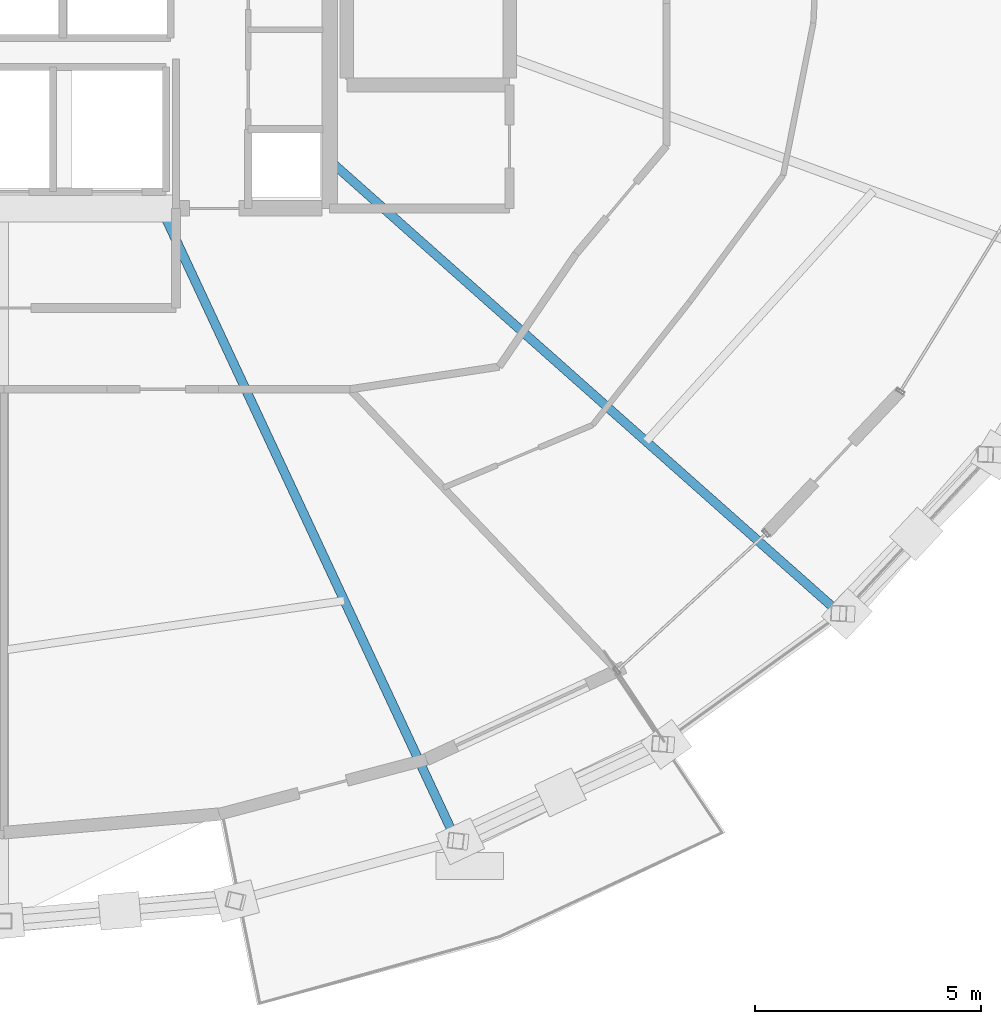
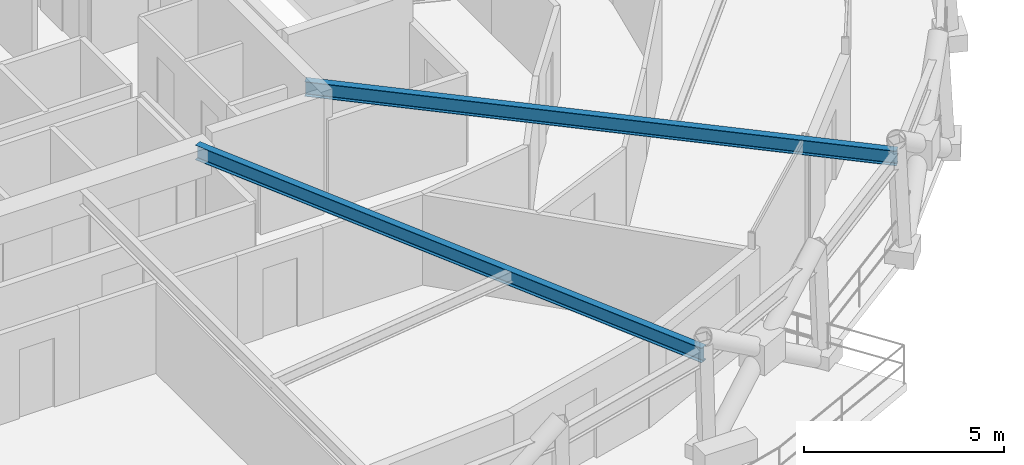
# One storey, part 3 of 14: 2 beams.
"""IFC4 building model written with IfcOpenShell, lengths in metres."""

from ifc_helpers import new_model, si_unit, direction, frame, origin, origin_2d, place, context, subcontext, project, spatial, i_section, extrude, material, material_profile, profile_set, type_object, element, save


model = new_model("IFC4")

# Units and contexts
model_context = context("Model", 3, precision=1e-05, world=origin(), true_north=direction((0.0, 1.0)))
body_context = subcontext(model_context, "Body", "Model", "MODEL_VIEW")
ifc_project = project(units=[si_unit("LENGTHUNIT", "METRE"), si_unit("AREAUNIT", "SQUARE_METRE"), si_unit("VOLUMEUNIT", "CUBIC_METRE"), si_unit("PLANEANGLEUNIT", "RADIAN"), si_unit("MASSUNIT", "GRAM", prefix="KILO")], contexts=[model_context])

# Site, building, storey
site_placement = place(None, origin())
site = spatial("IfcSite", under=ifc_project, at=site_placement, CompositionType="ELEMENT")
building_placement = place(site_placement, origin())
building = spatial("IfcBuilding", under=site, at=building_placement, Name="Veldorina Hangang Commons", CompositionType="ELEMENT")
storey_placement = place(building_placement, frame((0.0, 0.0, 200.0)))
storey = spatial("IfcBuildingStorey", under=building, at=storey_placement, Name="L52", CompositionType="ELEMENT", Elevation=200.0)

# Beams
ifc_material = material(Name="Steel SM355-TMC", Category="steel")
ifc_material_profile = material_profile(ifc_material, i_section(OverallWidth=0.199951171875, OverallDepth=0.449951171875, WebThickness=0.009033203125, FlangeThickness=0.013916015625, FilletRadius=0.01611328125, at=origin_2d()), Name="H-450x200x9x14")
ifc_profile_set = profile_set([ifc_material_profile], Name="Steel SM355-TMC")
beam_type = type_object("IfcBeamType", Name="BM-FG450", PredefinedType="BEAM", material=ifc_profile_set)
beam_1_placement = place(storey_placement, frame((35.476806640625, 16.550048828125, 3.074951171875), z_axis=(0.422916633898, -0.906168594011, 0.0), x_axis=(0.906168594011, 0.422916633898, 0.0)))
element("IfcBeam", 1, at=beam_1_placement, inside=storey, type_object=beam_type, Name="L52 radial floor girder 14", PredefinedType="BEAM", context=body_context, shape_type="SweptSolid", body=[
    extrude(i_section(OverallWidth=0.199951171875, OverallDepth=0.449951171875, WebThickness=0.009033203125, FlangeThickness=0.013916015625, FilletRadius=0.01611328125, at=origin_2d()), origin(), (0.0, 0.0, 1.0), 15.43701171875),
])
beam_2_placement = place(storey_placement, frame((39.199951171875, 17.609619140625, 3.074951171875), z_axis=(0.747915165692, -0.663794324267, 0.0), x_axis=(0.663794324267, 0.747915165692, 0.0)))
element("IfcBeam", 2, at=beam_2_placement, inside=storey, type_object=beam_type, Name="L52 radial floor girder 15", PredefinedType="BEAM", context=body_context, shape_type="SweptSolid", body=[
    extrude(i_section(OverallWidth=0.199951171875, OverallDepth=0.449951171875, WebThickness=0.009033203125, FlangeThickness=0.013916015625, FilletRadius=0.01611328125, at=origin_2d()), origin(), (0.0, 0.0, 1.0), 15.091796875),
])

save(model, "model.ifc")
